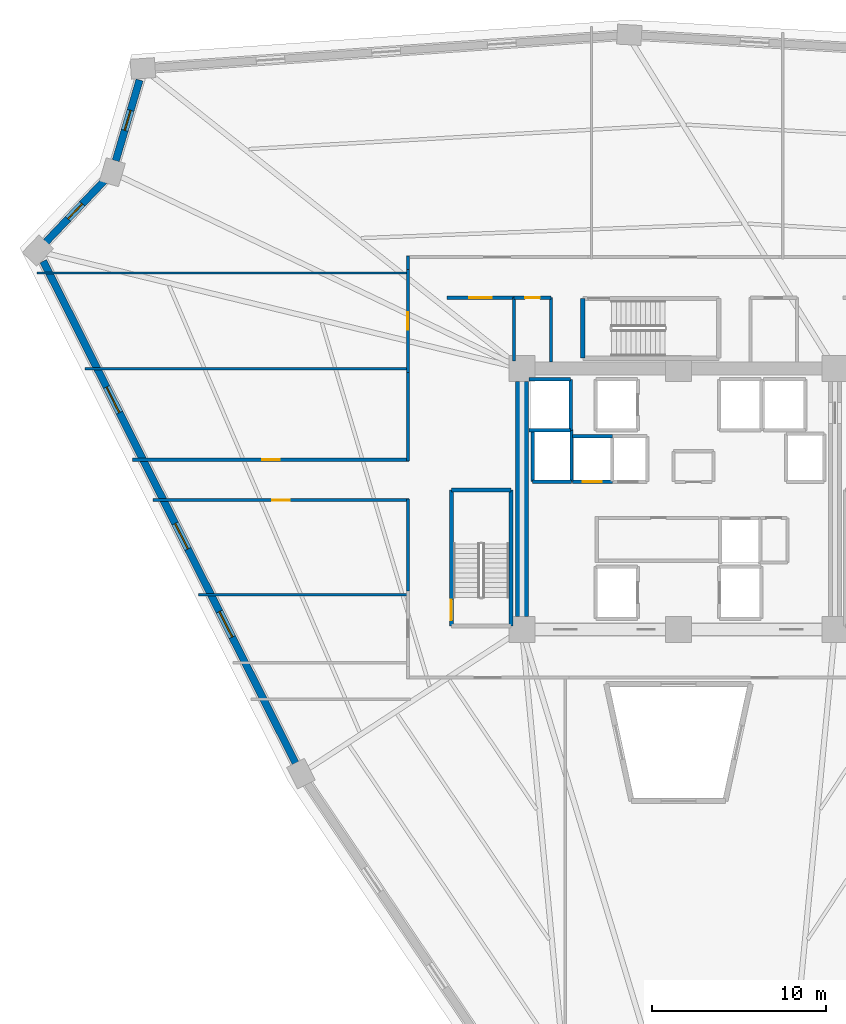
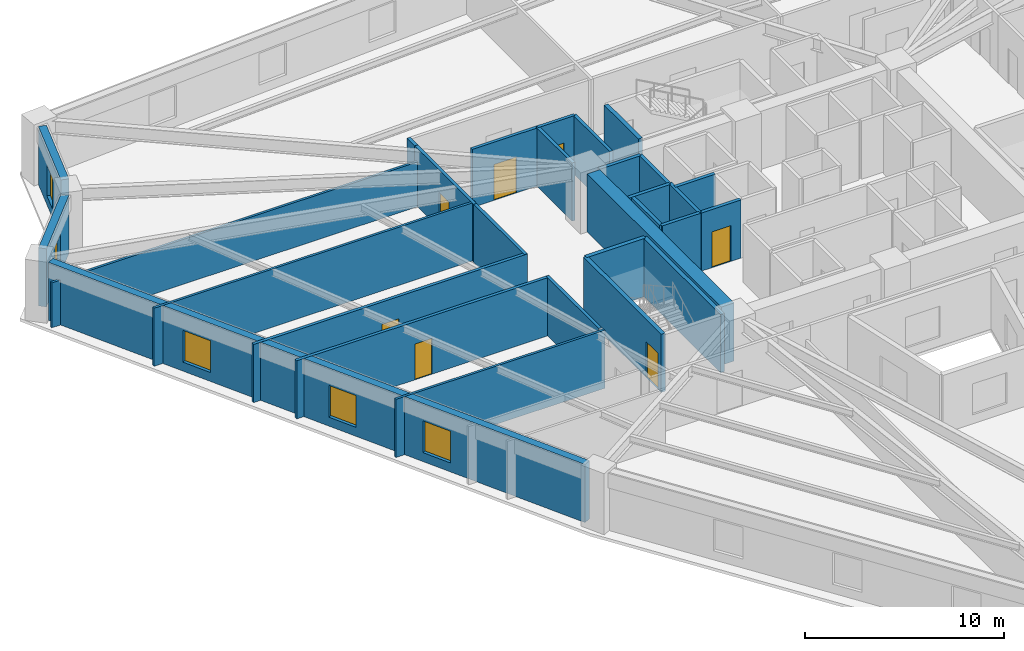
# One storey, part 4 of 8: 29 walls, 7 doors, 5 windows, 12 openings.
"""IFC4 building model written with IfcOpenShell, lengths in metres."""

from ifc_helpers import new_model, si_unit, direction, frame, frame_2d, origin, place, context, subcontext, project, spatial, rectangle, extrude, source, transform, mapped, material, layer, layer_set, type_object, element, fill, save


model = new_model("IFC4")

# Units and contexts
model_context = context("Model", 3, precision=1e-05, world=origin(), true_north=direction((0.0, 1.0)))
body_context = subcontext(model_context, "Body", "Model", "MODEL_VIEW")
ifc_project = project(units=[si_unit("LENGTHUNIT", "METRE"), si_unit("AREAUNIT", "SQUARE_METRE"), si_unit("VOLUMEUNIT", "CUBIC_METRE"), si_unit("PLANEANGLEUNIT", "RADIAN"), si_unit("MASSUNIT", "GRAM", prefix="KILO")], contexts=[model_context])

# Site, building, storey
site_placement = place(None, origin())
site = spatial("IfcSite", under=ifc_project, at=site_placement, CompositionType="ELEMENT")
building_placement = place(site_placement, origin())
building = spatial("IfcBuilding", under=site, at=building_placement, Name="Liaohun Quay Tower", CompositionType="ELEMENT")
storey_placement = place(building_placement, frame((0.0, 0.0, 109.5)))
storey = spatial("IfcBuildingStorey", under=building, at=storey_placement, Name="L28", CompositionType="ELEMENT", Elevation=109.5)

# Wall
ifc_material_1 = material(Name="Concrete C60", Category="concrete")
ifc_layer_1 = layer(ifc_material_1, 0.75, Name="Concrete C60", Category="concrete")
ifc_layer_set_1 = layer_set([ifc_layer_1], Name="Concrete C60")
wall_type_1 = type_object("IfcWallType", Name="WAL-COR-Z2", PredefinedType="SHEAR", material=ifc_layer_set_1)
wall_1_placement = place(storey_placement, frame((51.0, 47.25, 0.0), z_axis=(0.0, 0.0, 1.0), x_axis=(0.0, 1.0, 0.0)))
element("IfcWall", 1, at=wall_1_placement, inside=storey, type_object=wall_type_1, Name="L28 Central Core Shear Wall W", PredefinedType="SHEAR", context=body_context, shape_type="SweptSolid", body=[
    extrude(rectangle(XDim=13.5, YDim=0.75, at=frame_2d((6.75, 0.0))), origin(), (0.0, 0.0, 1.0), 3.570068359375),
])

# Wall, opening, window
ifc_material_2 = material(Name="Precast concrete C50 insulated sandwich", Category="concrete")
ifc_layer_2 = layer(ifc_material_2, 0.419921875, Name="Precast concrete C50 insulated sandwich", Category="concrete")
ifc_layer_set_2 = layer_set([ifc_layer_2], Name="Precast concrete C50 insulated sandwich")
wall_type_2 = type_object("IfcWallType", Name="WAL-EXT-Z12", PredefinedType="SOLIDWALL", material=ifc_layer_set_2)
wall_2_placement = place(storey_placement, frame((29.010986328125, 78.09912109375, 0.0), z_axis=(0.0, 0.0, 1.0), x_axis=(-0.28279156726, -0.959181385081, 0.0)))
wall_2 = element("IfcWall", 2, at=wall_2_placement, inside=storey, type_object=wall_type_2, Name="L28 Brutalist Precast Pier Wall 08", PredefinedType="SOLIDWALL", context=body_context, shape_type="SweptSolid", body=[
    extrude(rectangle(XDim=4.840576171875, YDim=0.419921875, at=frame_2d((2.42041015625, 0.0))), origin(), (0.0, 0.0, 1.0), 3.570068359375),
])
shared_shape_1 = source(origin(), body_context, "Body", "SweptSolid", [
    extrude(rectangle(XDim=1.199951171875, YDim=1.89990234375, at=frame_2d((0.60009765625, 0.949951171875))), frame((0.0, 0.219970703125, 0.0), z_axis=(0.0, -1.0, 0.0), x_axis=(1.0, 0.0, 0.0)), (0.0, 0.0, 1.0), 0.43994140625),
])
opening_1_placement = place(wall_2_placement, frame((1.820068359375, 0.0, 0.550048828125)))
opening_1 = element("IfcOpeningElement", 3, at=opening_1_placement, cuts=wall_2, Name="Opening W05", PredefinedType="OPENING", context=body_context, shape_type="MappedRepresentation", body=[
    mapped(shared_shape_1, transform((0.0, 0.0, 0.0), x_axis=(1.0, 0.0, 0.0), y_axis=(0.0, 1.0, 0.0), z_axis=(0.0, 0.0, 1.0), scale=1.0)),
])
ifc_material_3 = material(Name="Triple Low-E corner notch glazing", Category="glass")
window_type_1 = type_object("IfcWindowType", Name="WIN-NOTCH", PartitioningType="SINGLE_PANEL", PredefinedType="WINDOW", material=ifc_material_3)
shared_shape_2 = source(origin(), body_context, "Body", "SweptSolid", [
    extrude(rectangle(XDim=1.199951171875, YDim=1.89990234375, at=frame_2d((0.60009765625, 0.949951171875))), frame((0.0, 0.030029296875, 0.0), z_axis=(0.0, -1.0, 0.0), x_axis=(1.0, 0.0, 0.0)), (0.0, 0.0, 1.0), 0.06005859375),
])
window_1_placement = place(opening_1_placement, origin())
window_1 = element("IfcWindow", 4, at=window_1_placement, inside=storey, type_object=window_type_1, Name="L28 Corner Notch Window W05-08", OverallHeight=1.89990234375, OverallWidth=1.199951171875, PartitioningType="SINGLE_PANEL", PredefinedType="WINDOW", context=body_context, shape_type="MappedRepresentation", body=[
    mapped(shared_shape_2, transform((0.0, 0.0, 0.0), x_axis=(1.0, 0.0, 0.0), y_axis=(0.0, 1.0, 0.0), z_axis=(0.0, 0.0, 1.0), scale=1.0)),
])
fill(opening_1, window_1)

wall_3_placement = place(storey_placement, frame((26.970947265625, 72.2939453125, 0.0), z_axis=(0.0, 0.0, 1.0), x_axis=(-0.689306913108, -0.724469446934, 0.0)))
wall_3 = element("IfcWall", 5, at=wall_3_placement, inside=storey, type_object=wall_type_2, Name="L28 Brutalist Precast Pier Wall 09", PredefinedType="SOLIDWALL", context=body_context, shape_type="SweptSolid", body=[
    extrude(rectangle(XDim=4.83251953125, YDim=0.419921875, at=frame_2d((2.416259765625, 0.0))), origin(), (0.0, 0.0, 1.0), 3.570068359375),
])
opening_2_placement = place(wall_3_placement, frame((1.81591796875, 0.0, 0.550048828125)))
opening_2 = element("IfcOpeningElement", 6, at=opening_2_placement, cuts=wall_3, Name="Opening W05", PredefinedType="OPENING", context=body_context, shape_type="MappedRepresentation", body=[
    mapped(shared_shape_1, transform((0.0, 0.0, 0.0), x_axis=(1.0, 0.0, 0.0), y_axis=(0.0, 1.0, 0.0), z_axis=(0.0, 0.0, 1.0), scale=1.0)),
])
window_2_placement = place(opening_2_placement, origin())
window_2 = element("IfcWindow", 7, at=window_2_placement, inside=storey, type_object=window_type_1, Name="L28 Corner Notch Window W05-09", OverallHeight=1.89990234375, OverallWidth=1.199951171875, PartitioningType="SINGLE_PANEL", PredefinedType="WINDOW", context=body_context, shape_type="MappedRepresentation", body=[
    mapped(shared_shape_2, transform((0.0, 0.0, 0.0), x_axis=(1.0, 0.0, 0.0), y_axis=(0.0, 1.0, 0.0), z_axis=(0.0, 0.0, 1.0), scale=1.0)),
])
fill(opening_2, window_2)

# Wall, openings, windows
wall_4_placement = place(storey_placement, frame((23.47412109375, 67.677001953125, 0.0), z_axis=(0.0, 0.0, 1.0), x_axis=(0.44918995427, -0.893436279196, 0.0)))
wall_4 = element("IfcWall", 8, at=wall_4_placement, inside=storey, type_object=wall_type_2, Name="L28 Brutalist Precast Pier Wall 10", PredefinedType="SOLIDWALL", context=body_context, shape_type="SweptSolid", body=[
    extrude(rectangle(XDim=32.297607421875, YDim=0.419921875, at=frame_2d((16.14892578125, 0.0))), origin(), (0.0, 0.0, 1.0), 3.570068359375),
])
shared_shape_3 = source(origin(), body_context, "Body", "SweptSolid", [
    extrude(rectangle(XDim=1.64990234375, YDim=1.949951171875, at=frame_2d((0.824951171875, 0.97509765625))), frame((0.0, 0.219970703125, 0.0), z_axis=(0.0, -1.0, 0.0), x_axis=(1.0, 0.0, 0.0)), (0.0, 0.0, 1.0), 0.43994140625),
])
opening_3_placement = place(wall_4_placement, frame((8.09912109375, 0.0, 0.550048828125)))
opening_3 = element("IfcOpeningElement", 9, at=opening_3_placement, cuts=wall_4, Name="Opening W02", PredefinedType="OPENING", context=body_context, shape_type="MappedRepresentation", body=[
    mapped(shared_shape_3, transform((0.0, 0.0, 0.0), x_axis=(1.0, 0.0, 0.0), y_axis=(0.0, 1.0, 0.0), z_axis=(0.0, 0.0, 1.0), scale=1.0)),
])
opening_4_placement = place(wall_4_placement, frame((16.8740234375, 0.0, 0.550048828125)))
opening_4 = element("IfcOpeningElement", 10, at=opening_4_placement, cuts=wall_4, Name="Opening W02", PredefinedType="OPENING", context=body_context, shape_type="MappedRepresentation", body=[
    mapped(shared_shape_3, transform((0.0, 0.0, 0.0), x_axis=(1.0, 0.0, 0.0), y_axis=(0.0, 1.0, 0.0), z_axis=(0.0, 0.0, 1.0), scale=1.0)),
])
opening_5_placement = place(wall_4_placement, frame((22.548095703125, 0.0, 0.550048828125)))
opening_5 = element("IfcOpeningElement", 11, at=opening_5_placement, cuts=wall_4, Name="Opening W02", PredefinedType="OPENING", context=body_context, shape_type="MappedRepresentation", body=[
    mapped(shared_shape_3, transform((0.0, 0.0, 0.0), x_axis=(1.0, 0.0, 0.0), y_axis=(0.0, 1.0, 0.0), z_axis=(0.0, 0.0, 1.0), scale=1.0)),
])
ifc_material_4 = material(Name="Triple Low-E argon glazing in thermally broken aluminium", Category="aluminium")
window_type_2 = type_object("IfcWindowType", Name="WIN-PUN-Z2", PartitioningType="DOUBLE_PANEL_VERTICAL", PredefinedType="WINDOW", material=ifc_material_4)
shared_shape_4 = source(origin(), body_context, "Body", "SweptSolid", [
    extrude(rectangle(XDim=1.64990234375, YDim=1.949951171875, at=frame_2d((0.824951171875, 0.97509765625))), frame((0.0, 0.030029296875, 0.0), z_axis=(0.0, -1.0, 0.0), x_axis=(1.0, 0.0, 0.0)), (0.0, 0.0, 1.0), 0.06005859375),
])
window_3_placement = place(opening_3_placement, origin())
window_3 = element("IfcWindow", 12, at=window_3_placement, inside=storey, type_object=window_type_2, Name="L28 Recessed Cold-Climate Punched Window 10-1", OverallHeight=1.949951171875, OverallWidth=1.64990234375, PartitioningType="DOUBLE_PANEL_VERTICAL", PredefinedType="WINDOW", context=body_context, shape_type="MappedRepresentation", body=[
    mapped(shared_shape_4, transform((0.0, 0.0, 0.0), x_axis=(1.0, 0.0, 0.0), y_axis=(0.0, 1.0, 0.0), z_axis=(0.0, 0.0, 1.0), scale=1.0)),
])
fill(opening_3, window_3)
window_4_placement = place(opening_4_placement, origin())
window_4 = element("IfcWindow", 13, at=window_4_placement, inside=storey, type_object=window_type_2, Name="L28 Recessed Cold-Climate Punched Window 10-2", OverallHeight=1.949951171875, OverallWidth=1.64990234375, PartitioningType="DOUBLE_PANEL_VERTICAL", PredefinedType="WINDOW", context=body_context, shape_type="MappedRepresentation", body=[
    mapped(shared_shape_4, transform((0.0, 0.0, 0.0), x_axis=(1.0, 0.0, 0.0), y_axis=(0.0, 1.0, 0.0), z_axis=(0.0, 0.0, 1.0), scale=1.0)),
])
fill(opening_4, window_4)
window_5_placement = place(opening_5_placement, origin())
window_5 = element("IfcWindow", 14, at=window_5_placement, inside=storey, type_object=window_type_2, Name="L28 Recessed Cold-Climate Punched Window 10-3", OverallHeight=1.949951171875, OverallWidth=1.64990234375, PartitioningType="DOUBLE_PANEL_VERTICAL", PredefinedType="WINDOW", context=body_context, shape_type="MappedRepresentation", body=[
    mapped(shared_shape_4, transform((0.0, 0.0, 0.0), x_axis=(1.0, 0.0, 0.0), y_axis=(0.0, 1.0, 0.0), z_axis=(0.0, 0.0, 1.0), scale=1.0)),
])
fill(opening_5, window_5)

# Wall, opening, door
ifc_material_5 = material(Name="Autoclaved aerated concrete blockwork", Category="masonry")
ifc_layer_3 = layer(ifc_material_5, 0.179931640625, Name="Autoclaved aerated concrete blockwork", Category="masonry")
ifc_layer_set_3 = layer_set([ifc_layer_3], Name="Autoclaved aerated concrete blockwork")
wall_type_3 = type_object("IfcWallType", Name="WAL-PRT-COR", PredefinedType="PARTITIONING", material=ifc_layer_set_3)
wall_5_placement = place(storey_placement, frame((50.5400390625, 65.580078125, 0.0), z_axis=(0.0, 0.0, 1.0), x_axis=(1.0, 0.0, 0.0)))
wall_5 = element("IfcWall", 15, at=wall_5_placement, inside=storey, type_object=wall_type_3, Name="L28 Interior Partition Wall 007", PredefinedType="PARTITIONING", context=body_context, shape_type="SweptSolid", body=[
    extrude(rectangle(XDim=2.139892578125, YDim=0.179931640625, at=frame_2d((1.06982421875, 0.0))), origin(), (0.0, 0.0, 1.0), 3.570068359375),
])
shared_shape_5 = source(origin(), body_context, "Body", "SweptSolid", [
    extrude(rectangle(XDim=0.85009765625, YDim=2.10009765625, at=frame_2d((0.425048828125, 1.050048828125))), frame((0.0, 0.099853515625, 0.0), z_axis=(0.0, -1.0, 0.0), x_axis=(1.0, 0.0, 0.0)), (0.0, 0.0, 1.0), 0.199951171875),
])
opening_6_placement = place(wall_5_placement, frame((0.64501953125, 0.0, 0.0)))
opening_6 = element("IfcOpeningElement", 16, at=opening_6_placement, cuts=wall_5, Name="Opening AD1", PredefinedType="OPENING", context=body_context, shape_type="MappedRepresentation", body=[
    mapped(shared_shape_5, transform((0.0, 0.0, 0.0), x_axis=(1.0, 0.0, 0.0), y_axis=(0.0, 1.0, 0.0), z_axis=(0.0, 0.0, 1.0), scale=1.0)),
])
ifc_material_6 = material(Name="Steel riser inspection fire door", Category="steel")
door_type_1 = type_object("IfcDoorType", Name="DOR-SHF-850", OperationType="NOTDEFINED", PredefinedType="DOOR", material=ifc_material_6)
shared_shape_6 = source(origin(), body_context, "Body", "SweptSolid", [
    extrude(rectangle(XDim=0.85009765625, YDim=2.10009765625, at=frame_2d((0.425048828125, 1.050048828125))), frame((0.0, 0.02490234375, 0.0), z_axis=(0.0, -1.0, 0.0), x_axis=(1.0, 0.0, 0.0)), (0.0, 0.0, 1.0), 0.050048828125),
])
door_1_placement = place(opening_6_placement, origin())
door_1 = element("IfcDoor", 17, at=door_1_placement, inside=storey, type_object=door_type_1, Name="L28 North-West Supply Store Door", OperationType="SINGLE_SWING_RIGHT", OverallHeight=2.10009765625, OverallWidth=0.85009765625, PredefinedType="DOOR", context=body_context, shape_type="MappedRepresentation", body=[
    mapped(shared_shape_6, transform((0.0, 0.0, 0.0), x_axis=(1.0, 0.0, 0.0), y_axis=(0.0, 1.0, 0.0), z_axis=(0.0, 0.0, 1.0), scale=1.0)),
])
fill(opening_6, door_1)

wall_6_placement = place(storey_placement, frame((46.699951171875, 65.580078125, 0.0), z_axis=(0.0, 0.0, 1.0), x_axis=(1.0, 0.0, 0.0)))
wall_6 = element("IfcWall", 18, at=wall_6_placement, inside=storey, type_object=wall_type_3, Name="L28 Interior Partition Wall 009", PredefinedType="PARTITIONING", context=body_context, shape_type="SweptSolid", body=[
    extrude(rectangle(XDim=3.840087890625, YDim=0.179931640625, at=frame_2d((1.919921875, 0.0))), origin(), (0.0, 0.0, 1.0), 3.570068359375),
])
shared_shape_7 = source(origin(), body_context, "Body", "SweptSolid", [
    extrude(rectangle(XDim=1.300048828125, YDim=2.199951171875, at=frame_2d((0.64990234375, 1.10009765625))), frame((0.0, 0.099853515625, 0.0), z_axis=(0.0, -1.0, 0.0), x_axis=(1.0, 0.0, 0.0)), (0.0, 0.0, 1.0), 0.199951171875),
])
opening_7_placement = place(wall_6_placement, frame((1.27001953125, 0.0, 0.0)))
opening_7 = element("IfcOpeningElement", 19, at=opening_7_placement, cuts=wall_6, Name="Opening FD1", PredefinedType="OPENING", context=body_context, shape_type="MappedRepresentation", body=[
    mapped(shared_shape_7, transform((0.0, 0.0, 0.0), x_axis=(1.0, 0.0, 0.0), y_axis=(0.0, 1.0, 0.0), z_axis=(0.0, 0.0, 1.0), scale=1.0)),
])
ifc_material_7 = material(Name="Galvanised steel smokeproof fire door", Category="steel")
door_type_2 = type_object("IfcDoorType", Name="DOR-FFL-1300", OperationType="NOTDEFINED", PredefinedType="DOOR", material=ifc_material_7)
shared_shape_8 = source(origin(), body_context, "Body", "SweptSolid", [
    extrude(rectangle(XDim=1.300048828125, YDim=2.199951171875, at=frame_2d((0.64990234375, 1.10009765625))), frame((0.0, 0.02490234375, 0.0), z_axis=(0.0, -1.0, 0.0), x_axis=(1.0, 0.0, 0.0)), (0.0, 0.0, 1.0), 0.050048828125),
])
door_2_placement = place(opening_7_placement, origin())
door_2 = element("IfcDoor", 20, at=door_2_placement, inside=storey, type_object=door_type_2, Name="L28 West Core Vestibule Door", OperationType="SINGLE_SWING_RIGHT", OverallHeight=2.199951171875, OverallWidth=1.300048828125, PredefinedType="DOOR", context=body_context, shape_type="MappedRepresentation", body=[
    mapped(shared_shape_8, transform((0.0, 0.0, 0.0), x_axis=(1.0, 0.0, 0.0), y_axis=(0.0, 1.0, 0.0), z_axis=(0.0, 0.0, 1.0), scale=1.0)),
])
fill(opening_7, door_2)

wall_7_placement = place(storey_placement, frame((44.43994140625, 61.284912109375, 0.0), z_axis=(0.0, 0.0, 1.0), x_axis=(0.0, 1.0, 0.0)))
wall_7 = element("IfcWall", 21, at=wall_7_placement, inside=storey, type_object=wall_type_3, Name="L28 Interior Partition Wall 015", PredefinedType="PARTITIONING", context=body_context, shape_type="SweptSolid", body=[
    extrude(rectangle(XDim=5.93017578125, YDim=0.179931640625, at=frame_2d((2.965087890625, 0.0))), origin(), (0.0, 0.0, 1.0), 3.570068359375),
])
shared_shape_9 = source(origin(), body_context, "Body", "SweptSolid", [
    extrude(rectangle(XDim=1.0, YDim=2.199951171875, at=frame_2d((0.5, 1.10009765625))), frame((0.0, 0.099853515625, 0.0), z_axis=(0.0, -1.0, 0.0), x_axis=(1.0, 0.0, 0.0)), (0.0, 0.0, 1.0), 0.199951171875),
])
opening_8_placement = place(wall_7_placement, frame((2.465087890625, 0.0, 0.0)))
opening_8 = element("IfcOpeningElement", 22, at=opening_8_placement, cuts=wall_7, Name="Opening OD1", PredefinedType="OPENING", context=body_context, shape_type="MappedRepresentation", body=[
    mapped(shared_shape_9, transform((0.0, 0.0, 0.0), x_axis=(1.0, 0.0, 0.0), y_axis=(0.0, 1.0, 0.0), z_axis=(0.0, 0.0, 1.0), scale=1.0)),
])
ifc_material_8 = material(Name="Solid-core oak veneer timber leaf in steel frame", Category="steel")
door_type_3 = type_object("IfcDoorType", Name="DOR-OFF-1000", OperationType="NOTDEFINED", PredefinedType="DOOR", material=ifc_material_8)
shared_shape_10 = source(origin(), body_context, "Body", "SweptSolid", [
    extrude(rectangle(XDim=1.0, YDim=2.199951171875, at=frame_2d((0.5, 1.10009765625))), frame((0.0, 0.02490234375, 0.0), z_axis=(0.0, -1.0, 0.0), x_axis=(1.0, 0.0, 0.0)), (0.0, 0.0, 1.0), 0.050048828125),
])
door_3_placement = place(opening_8_placement, origin())
door_3 = element("IfcDoor", 23, at=door_3_placement, inside=storey, type_object=door_type_3, Name="L28 Corporate Exhibition Gallery 05 Door", OperationType="SINGLE_SWING_RIGHT", OverallHeight=2.199951171875, OverallWidth=1.0, PredefinedType="DOOR", context=body_context, shape_type="MappedRepresentation", body=[
    mapped(shared_shape_10, transform((0.0, 0.0, 0.0), x_axis=(1.0, 0.0, 0.0), y_axis=(0.0, 1.0, 0.0), z_axis=(0.0, 0.0, 1.0), scale=1.0)),
])
fill(opening_8, door_3)

wall_8_placement = place(storey_placement, frame((28.617919921875, 56.260009765625, 0.0), z_axis=(0.0, 0.0, 1.0), x_axis=(1.0, 0.0, 0.0)))
wall_8 = element("IfcWall", 24, at=wall_8_placement, inside=storey, type_object=wall_type_3, Name="L28 Interior Partition Wall 016", PredefinedType="PARTITIONING", context=body_context, shape_type="SweptSolid", body=[
    extrude(rectangle(XDim=15.89208984375, YDim=0.179931640625, at=frame_2d((7.946044921875, 0.0))), origin(), (0.0, 0.0, 1.0), 3.570068359375),
])
opening_9_placement = place(wall_8_placement, frame((7.446044921875, 0.0, 0.0)))
opening_9 = element("IfcOpeningElement", 25, at=opening_9_placement, cuts=wall_8, Name="Opening OD1", PredefinedType="OPENING", context=body_context, shape_type="MappedRepresentation", body=[
    mapped(shared_shape_9, transform((0.0, 0.0, 0.0), x_axis=(1.0, 0.0, 0.0), y_axis=(0.0, 1.0, 0.0), z_axis=(0.0, 0.0, 1.0), scale=1.0)),
])
door_4_placement = place(opening_9_placement, origin())
door_4 = element("IfcDoor", 26, at=door_4_placement, inside=storey, type_object=door_type_3, Name="L28 Staff Tea Kitchen and Pantry 06 Door", OperationType="SINGLE_SWING_LEFT", OverallHeight=2.199951171875, OverallWidth=1.0, PredefinedType="DOOR", context=body_context, shape_type="MappedRepresentation", body=[
    mapped(shared_shape_10, transform((0.0, 0.0, 0.0), x_axis=(1.0, 0.0, 0.0), y_axis=(0.0, 1.0, 0.0), z_axis=(0.0, 0.0, 1.0), scale=1.0)),
])
fill(opening_9, door_4)

wall_9_placement = place(storey_placement, frame((44.510009765625, 53.93994140625, 0.0), z_axis=(0.0, 0.0, 1.0), x_axis=(-1.0, 0.0, 0.0)))
wall_9 = element("IfcWall", 27, at=wall_9_placement, inside=storey, type_object=wall_type_3, Name="L28 Interior Partition Wall 017", PredefinedType="PARTITIONING", context=body_context, shape_type="SweptSolid", body=[
    extrude(rectangle(XDim=14.72509765625, YDim=0.179931640625, at=frame_2d((7.362548828125, 0.0))), origin(), (0.0, 0.0, 1.0), 3.570068359375),
])
opening_10_placement = place(wall_9_placement, frame((6.862060546875, 0.0, 0.0)))
opening_10 = element("IfcOpeningElement", 28, at=opening_10_placement, cuts=wall_9, Name="Opening OD1", PredefinedType="OPENING", context=body_context, shape_type="MappedRepresentation", body=[
    mapped(shared_shape_9, transform((0.0, 0.0, 0.0), x_axis=(1.0, 0.0, 0.0), y_axis=(0.0, 1.0, 0.0), z_axis=(0.0, 0.0, 1.0), scale=1.0)),
])
door_5_placement = place(opening_10_placement, origin())
door_5 = element("IfcDoor", 29, at=door_5_placement, inside=storey, type_object=door_type_3, Name="L28 Architectural Design Studio 07 Door", OperationType="SINGLE_SWING_RIGHT", OverallHeight=2.199951171875, OverallWidth=1.0, PredefinedType="DOOR", context=body_context, shape_type="MappedRepresentation", body=[
    mapped(shared_shape_10, transform((0.0, 0.0, 0.0), x_axis=(1.0, 0.0, 0.0), y_axis=(0.0, 1.0, 0.0), z_axis=(0.0, 0.0, 1.0), scale=1.0)),
])
fill(opening_10, door_5)

# Walls
wall_10_placement = place(storey_placement, frame((50.5400390625, 61.949951171875, 0.0), z_axis=(0.0, 0.0, 1.0), x_axis=(0.0, 1.0, 0.0)))
element("IfcWall", 30, at=wall_10_placement, inside=storey, type_object=wall_type_3, Name="L28 Interior Partition Wall 033", PredefinedType="PARTITIONING", context=body_context, shape_type="SweptSolid", body=[
    extrude(rectangle(XDim=3.630126953125, YDim=0.179931640625, at=frame_2d((1.81494140625, 0.0))), origin(), (0.0, 0.0, 1.0), 3.570068359375),
])
wall_11_placement = place(storey_placement, frame((52.679931640625, 61.875, 0.0), z_axis=(0.0, 0.0, 1.0), x_axis=(0.0, 1.0, 0.0)))
element("IfcWall", 31, at=wall_11_placement, inside=storey, type_object=wall_type_3, Name="L28 Interior Partition Wall 034", PredefinedType="PARTITIONING", context=body_context, shape_type="SweptSolid", body=[
    extrude(rectangle(XDim=3.705078125, YDim=0.179931640625, at=frame_2d((1.8525390625, 0.0))), origin(), (0.0, 0.0, 1.0), 3.570068359375),
])
wall_12_placement = place(storey_placement, frame((44.43994140625, 67.215087890625, 0.0), z_axis=(0.0, 0.0, 1.0), x_axis=(0.0, 1.0, 0.0)))
element("IfcWall", 32, at=wall_12_placement, inside=storey, type_object=wall_type_3, Name="L28 Interior Partition Wall 039", PredefinedType="PARTITIONING", context=body_context, shape_type="SweptSolid", body=[
    extrude(rectangle(XDim=0.764892578125, YDim=0.179931640625, at=frame_2d((0.38232421875, 0.0))), origin(), (0.0, 0.0, 1.0), 3.570068359375),
])
wall_13_placement = place(storey_placement, frame((44.43994140625, 56.18994140625, 0.0), z_axis=(0.0, 0.0, 1.0), x_axis=(0.0, 1.0, 0.0)))
element("IfcWall", 33, at=wall_13_placement, inside=storey, type_object=wall_type_3, Name="L28 Interior Partition Wall 040", PredefinedType="PARTITIONING", context=body_context, shape_type="SweptSolid", body=[
    extrude(rectangle(XDim=5.094970703125, YDim=0.179931640625, at=frame_2d((2.54736328125, 0.0))), origin(), (0.0, 0.0, 1.0), 3.570068359375),
])
wall_14_placement = place(storey_placement, frame((44.43994140625, 48.715087890625, 0.0), z_axis=(0.0, 0.0, 1.0), x_axis=(0.0, 1.0, 0.0)))
element("IfcWall", 34, at=wall_14_placement, inside=storey, type_object=wall_type_3, Name="L28 Interior Partition Wall 041", PredefinedType="PARTITIONING", context=body_context, shape_type="SweptSolid", body=[
    extrude(rectangle(XDim=5.294921875, YDim=0.179931640625, at=frame_2d((2.6474609375, 0.0))), origin(), (0.0, 0.0, 1.0), 3.570068359375),
])
ifc_material_9 = material(Name="Gypsum board on twin steel studs", Category="steel")
ifc_layer_4 = layer(ifc_material_9, 0.139892578125, Name="Gypsum board on twin steel studs", Category="steel")
ifc_layer_set_4 = layer_set([ifc_layer_4], Name="Gypsum board on twin steel studs")
wall_type_4 = type_object("IfcWallType", Name="WAL-PRT-OFF", PredefinedType="PARTITIONING", material=ifc_layer_set_4)
wall_15_placement = place(storey_placement, frame((44.5400390625, 48.5, 0.0), z_axis=(0.0, 0.0, 1.0), x_axis=(-1.0, 0.0, 0.0)))
element("IfcWall", 35, at=wall_15_placement, inside=storey, type_object=wall_type_4, Name="L28 Interior Partition Wall 047", PredefinedType="PARTITIONING", context=body_context, shape_type="SweptSolid", body=[
    extrude(rectangle(XDim=12.129150390625, YDim=0.139892578125, at=frame_2d((6.064453125, 0.0))), origin(), (0.0, 0.0, 1.0), 3.570068359375),
])
wall_16_placement = place(storey_placement, frame((44.5400390625, 61.5, 0.0), z_axis=(0.0, 0.0, 1.0), x_axis=(-1.0, 0.0, 0.0)))
element("IfcWall", 36, at=wall_16_placement, inside=storey, type_object=wall_type_4, Name="L28 Interior Partition Wall 048", PredefinedType="PARTITIONING", context=body_context, shape_type="SweptSolid", body=[
    extrude(rectangle(XDim=18.6650390625, YDim=0.139892578125, at=frame_2d((9.33251953125, 0.0))), origin(), (0.0, 0.0, 1.0), 3.570068359375),
])
wall_17_placement = place(storey_placement, frame((44.5400390625, 67.0, 0.0), z_axis=(0.0, 0.0, 1.0), x_axis=(-1.0, 0.0, 0.0)))
element("IfcWall", 37, at=wall_17_placement, inside=storey, type_object=wall_type_4, Name="L28 Interior Partition Wall 049", PredefinedType="PARTITIONING", context=body_context, shape_type="SweptSolid", body=[
    extrude(rectangle(XDim=21.43115234375, YDim=0.139892578125, at=frame_2d((10.715576171875, 0.0))), origin(), (0.0, 0.0, 1.0), 2.7548828125),
])
ifc_material_10 = material(Name="Concrete C50", Category="concrete")
ifc_layer_5 = layer(ifc_material_10, 0.239990234375, Name="Concrete C50", Category="concrete")
ifc_layer_set_5 = layer_set([ifc_layer_5], Name="Concrete C50")
wall_type_5 = type_object("IfcWallType", Name="WAL-SHF-200", PredefinedType="SOLIDWALL", material=ifc_layer_set_5)
wall_18_placement = place(storey_placement, frame((50.3798828125, 46.699951171875, 0.0), z_axis=(0.0, 0.0, 1.0), x_axis=(0.0, 1.0, 0.0)))
element("IfcWall", 38, at=wall_18_placement, inside=storey, type_object=wall_type_5, Name="L28 Stairwell ST-1 Structural Core Wall E", PredefinedType="SOLIDWALL", context=body_context, shape_type="SweptSolid", body=[
    extrude(rectangle(XDim=7.820068359375, YDim=0.239990234375, at=frame_2d((3.91015625, 0.0))), origin(), (0.0, 0.0, 1.0), 3.570068359375),
])
wall_19_placement = place(storey_placement, frame((50.3798828125, 54.52001953125, 0.0), z_axis=(0.0, 0.0, 1.0), x_axis=(-1.0, 0.0, 0.0)))
element("IfcWall", 39, at=wall_19_placement, inside=storey, type_object=wall_type_5, Name="L28 Stairwell ST-1 Structural Core Wall N", PredefinedType="SOLIDWALL", context=body_context, shape_type="SweptSolid", body=[
    extrude(rectangle(XDim=3.43994140625, YDim=0.239990234375, at=frame_2d((1.719970703125, 0.0))), origin(), (0.0, 0.0, 1.0), 3.570068359375),
])

# Wall, opening, door
wall_20_placement = place(storey_placement, frame((46.93994140625, 54.52001953125, 0.0), z_axis=(0.0, 0.0, 1.0), x_axis=(0.0, -1.0, 0.0)))
wall_20 = element("IfcWall", 40, at=wall_20_placement, inside=storey, type_object=wall_type_5, Name="L28 Stairwell ST-1 Structural Core Wall W", PredefinedType="SOLIDWALL", context=body_context, shape_type="SweptSolid", body=[
    extrude(rectangle(XDim=7.820068359375, YDim=0.239990234375, at=frame_2d((3.91015625, 0.0))), origin(), (0.0, 0.0, 1.0), 3.570068359375),
])
shared_shape_11 = source(origin(), body_context, "Body", "SweptSolid", [
    extrude(rectangle(XDim=1.199951171875, YDim=2.199951171875, at=frame_2d((0.60009765625, 1.10009765625))), frame((0.0, 0.1298828125, 0.0), z_axis=(0.0, -1.0, 0.0), x_axis=(1.0, 0.0, 0.0)), (0.0, 0.0, 1.0), 0.260009765625),
])
opening_11_placement = place(wall_20_placement, frame((6.300048828125, 0.0, 0.0)))
opening_11 = element("IfcOpeningElement", 41, at=opening_11_placement, cuts=wall_20, Name="Opening SD1", PredefinedType="OPENING", context=body_context, shape_type="MappedRepresentation", body=[
    mapped(shared_shape_11, transform((0.0, 0.0, 0.0), x_axis=(1.0, 0.0, 0.0), y_axis=(0.0, 1.0, 0.0), z_axis=(0.0, 0.0, 1.0), scale=1.0)),
])
ifc_material_11 = material(Name="Galvanised steel fire door", Category="steel")
door_type_4 = type_object("IfcDoorType", Name="DOR-STR-1200", OperationType="NOTDEFINED", PredefinedType="DOOR", material=ifc_material_11)
shared_shape_12 = source(origin(), body_context, "Body", "SweptSolid", [
    extrude(rectangle(XDim=1.199951171875, YDim=2.199951171875, at=frame_2d((0.60009765625, 1.10009765625))), frame((0.0, 0.02490234375, 0.0), z_axis=(0.0, -1.0, 0.0), x_axis=(1.0, 0.0, 0.0)), (0.0, 0.0, 1.0), 0.050048828125),
])
door_6_placement = place(opening_11_placement, origin())
door_6 = element("IfcDoor", 42, at=door_6_placement, inside=storey, type_object=door_type_4, Name="L28 Protected Stair ST-1 Fire Door", OperationType="SINGLE_SWING_LEFT", OverallHeight=2.199951171875, OverallWidth=1.199951171875, PredefinedType="DOOR", context=body_context, shape_type="MappedRepresentation", body=[
    mapped(shared_shape_12, transform((0.0, 0.0, 0.0), x_axis=(1.0, 0.0, 0.0), y_axis=(0.0, 1.0, 0.0), z_axis=(0.0, 0.0, 1.0), scale=1.0)),
])
fill(opening_11, door_6)

# Walls
wall_21_placement = place(storey_placement, frame((54.5, 65.5400390625, 0.0), z_axis=(0.0, 0.0, 1.0), x_axis=(0.0, -1.0, 0.0)))
element("IfcWall", 43, at=wall_21_placement, inside=storey, type_object=wall_type_5, Name="L28 Stairwell ST-3 Structural Core Wall W", PredefinedType="SOLIDWALL", context=body_context, shape_type="SweptSolid", body=[
    extrude(rectangle(XDim=3.43994140625, YDim=0.239990234375, at=frame_2d((1.719970703125, 0.0))), origin(), (0.0, 0.0, 1.0), 3.570068359375),
])
wall_22_placement = place(storey_placement, frame((51.39990234375, 57.949951171875, 0.0), z_axis=(0.0, 0.0, 1.0), x_axis=(1.0, 0.0, 0.0)))
element("IfcWall", 44, at=wall_22_placement, inside=storey, type_object=wall_type_5, Name="L28 Lift SH-01 Hoistway Wall S", PredefinedType="SOLIDWALL", context=body_context, shape_type="SweptSolid", body=[
    extrude(rectangle(XDim=2.400146484375, YDim=0.199951171875, at=frame_2d((1.2001953125, 0.0))), origin(), (0.0, 0.0, 1.0), 3.570068359375),
])
wall_23_placement = place(storey_placement, frame((53.800048828125, 57.949951171875, 0.0), z_axis=(0.0, 0.0, 1.0), x_axis=(0.0, 1.0, 0.0)))
element("IfcWall", 45, at=wall_23_placement, inside=storey, type_object=wall_type_5, Name="L28 Lift SH-01 Hoistway Wall E", PredefinedType="SOLIDWALL", context=body_context, shape_type="SweptSolid", body=[
    extrude(rectangle(XDim=2.929931640625, YDim=0.199951171875, at=frame_2d((1.46484375, 0.0))), origin(), (0.0, 0.0, 1.0), 3.570068359375),
])
wall_24_placement = place(storey_placement, frame((53.800048828125, 60.8798828125, 0.0), z_axis=(0.0, 0.0, 1.0), x_axis=(-1.0, 0.0, 0.0)))
element("IfcWall", 46, at=wall_24_placement, inside=storey, type_object=wall_type_5, Name="L28 Lift SH-01 Hoistway Wall N", PredefinedType="SOLIDWALL", context=body_context, shape_type="SweptSolid", body=[
    extrude(rectangle(XDim=2.400146484375, YDim=0.199951171875, at=frame_2d((1.2001953125, 0.0))), origin(), (0.0, 0.0, 1.0), 3.570068359375),
])
wall_25_placement = place(storey_placement, frame((51.6201171875, 55.0, 0.0), z_axis=(0.0, 0.0, 1.0), x_axis=(1.0, 0.0, 0.0)))
element("IfcWall", 47, at=wall_25_placement, inside=storey, type_object=wall_type_5, Name="L28 Lift SH-02 Hoistway Wall S", PredefinedType="SOLIDWALL", context=body_context, shape_type="SweptSolid", body=[
    extrude(rectangle(XDim=2.22998046875, YDim=0.199951171875, at=frame_2d((1.114990234375, 0.0))), origin(), (0.0, 0.0, 1.0), 3.570068359375),
])
for number, where, z_axis, x_axis, name in (
    (48, (53.85009765625, 55.0, 0.0), (0.0, 0.0, 1.0), (0.0, 1.0, 0.0), "L28 Lift SH-02 Hoistway Wall E"),
    (49, (51.6201171875, 58.0, 0.0), (0.0, 0.0, 1.0), (0.0, -1.0, 0.0), "L28 Lift SH-02 Hoistway Wall W"),
):
    element("IfcWall", number, at=place(storey_placement, frame(where, z_axis=z_axis, x_axis=x_axis)), inside=storey, type_object=wall_type_5, Name=name, PredefinedType="SOLIDWALL", context=body_context, shape_type="SweptSolid", body=[
        extrude(rectangle(XDim=3.0, YDim=0.199951171875, at=frame_2d((1.5, 0.0))), origin(), (0.0, 0.0, 1.0), 3.570068359375),
    ])

# Wall, opening, door
wall_26_placement = place(storey_placement, frame((53.89990234375, 55.0, 0.0), z_axis=(0.0, 0.0, 1.0), x_axis=(1.0, 0.0, 0.0)))
wall_26 = element("IfcWall", 50, at=wall_26_placement, inside=storey, type_object=wall_type_5, Name="L28 Lift PL-2B Hoistway Wall S", PredefinedType="SOLIDWALL", context=body_context, shape_type="SweptSolid", body=[
    extrude(rectangle(XDim=2.300048828125, YDim=0.199951171875, at=frame_2d((1.14990234375, 0.0))), origin(), (0.0, 0.0, 1.0), 3.570068359375),
])
shared_shape_13 = source(origin(), body_context, "Body", "SweptSolid", [
    extrude(rectangle(XDim=1.10009765625, YDim=2.199951171875, at=frame_2d((0.550048828125, 1.10009765625))), frame((0.0, 0.10986328125, 0.0), z_axis=(0.0, -1.0, 0.0), x_axis=(1.0, 0.0, 0.0)), (0.0, 0.0, 1.0), 0.219970703125),
])
opening_12_placement = place(wall_26_placement, frame((0.60009765625, 0.0, 0.0)))
opening_12 = element("IfcOpeningElement", 51, at=opening_12_placement, cuts=wall_26, Name="Opening LD1", PredefinedType="OPENING", context=body_context, shape_type="MappedRepresentation", body=[
    mapped(shared_shape_13, transform((0.0, 0.0, 0.0), x_axis=(1.0, 0.0, 0.0), y_axis=(0.0, 1.0, 0.0), z_axis=(0.0, 0.0, 1.0), scale=1.0)),
])
ifc_material_12 = material(Name="Brushed stainless steel landing door", Category="steel")
door_type_5 = type_object("IfcDoorType", Name="DOR-LFT-1100", OperationType="SLIDING_TO_LEFT", PredefinedType="DOOR", material=ifc_material_12)
shared_shape_14 = source(origin(), body_context, "Body", "SweptSolid", [
    extrude(rectangle(XDim=1.10009765625, YDim=2.199951171875, at=frame_2d((0.550048828125, 1.10009765625))), frame((0.0, 0.02490234375, 0.0), z_axis=(0.0, -1.0, 0.0), x_axis=(1.0, 0.0, 0.0)), (0.0, 0.0, 1.0), 0.050048828125),
])
door_7_placement = place(opening_12_placement, origin())
door_7 = element("IfcDoor", 52, at=door_7_placement, inside=storey, type_object=door_type_5, Name="L28 Lift PL-2B Sliding Landing Door", OperationType="SLIDING_TO_LEFT", OverallHeight=2.199951171875, OverallWidth=1.10009765625, PredefinedType="DOOR", context=body_context, shape_type="MappedRepresentation", body=[
    mapped(shared_shape_14, transform((0.0, 0.0, 0.0), x_axis=(1.0, 0.0, 0.0), y_axis=(0.0, 1.0, 0.0), z_axis=(0.0, 0.0, 1.0), scale=1.0)),
])
fill(opening_12, door_7)

# Wall
wall_27_placement = place(storey_placement, frame((56.199951171875, 57.60009765625, 0.0), z_axis=(0.0, 0.0, 1.0), x_axis=(-1.0, 0.0, 0.0)))
element("IfcWall", 53, at=wall_27_placement, inside=storey, type_object=wall_type_5, Name="L28 Lift PL-2B Hoistway Wall N", PredefinedType="SOLIDWALL", context=body_context, shape_type="SweptSolid", body=[
    extrude(rectangle(XDim=2.300048828125, YDim=0.199951171875, at=frame_2d((1.14990234375, 0.0))), origin(), (0.0, 0.0, 1.0), 3.570068359375),
])

save(model, "model.ifc")
